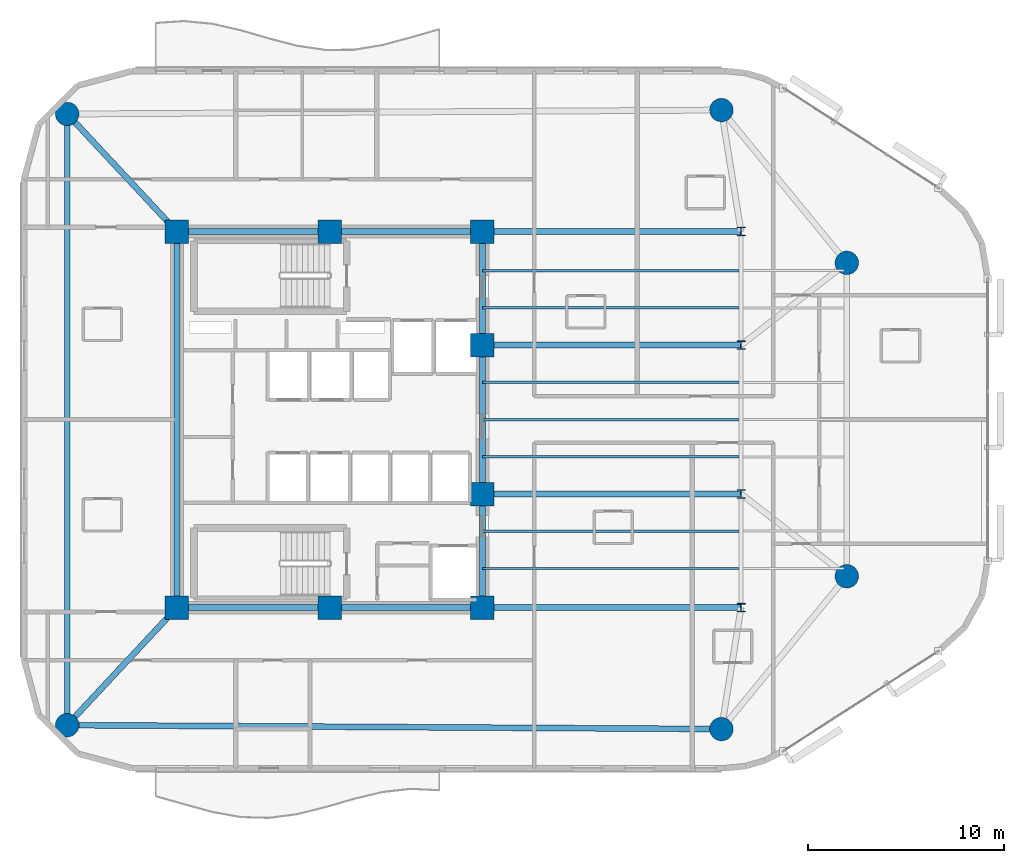
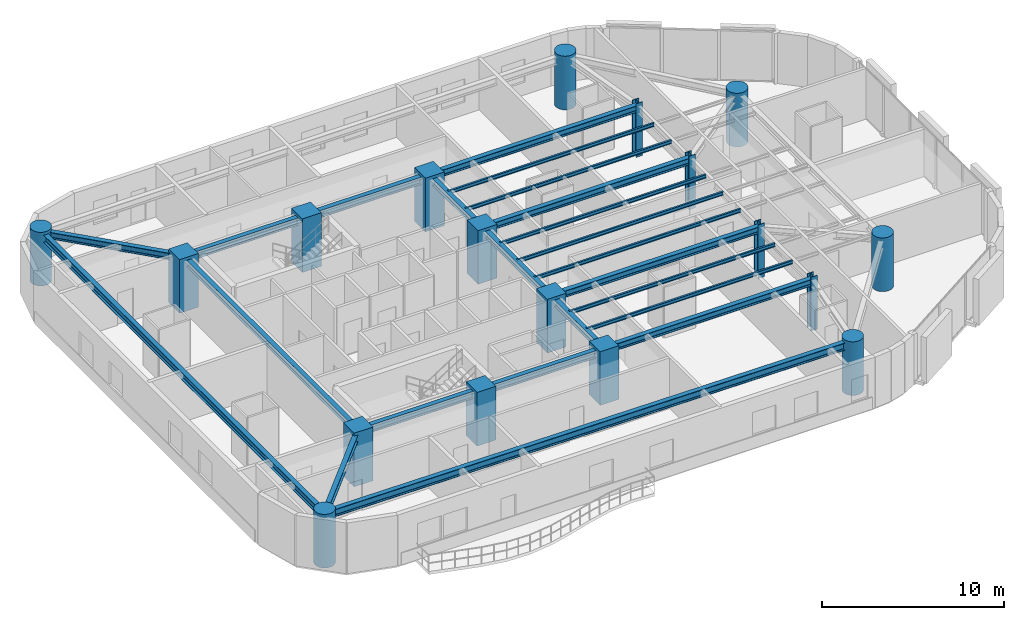
# One storey, part 1 of 15: 21 beams, 18 columns.
"""IFC4 building model written with IfcOpenShell, lengths in metres."""

from ifc_helpers import new_model, si_unit, direction, frame, origin, origin_2d, place, context, subcontext, project, spatial, rectangle, circle, i_section, extrude, material, material_profile, profile_set, type_object, element, save


model = new_model("IFC4")

# Units and contexts
model_context = context("Model", 3, precision=1e-05, world=origin(), true_north=direction((0.0, 1.0)))
body_context = subcontext(model_context, "Body", "Model", "MODEL_VIEW")
ifc_project = project(units=[si_unit("LENGTHUNIT", "METRE"), si_unit("AREAUNIT", "SQUARE_METRE"), si_unit("VOLUMEUNIT", "CUBIC_METRE"), si_unit("PLANEANGLEUNIT", "RADIAN"), si_unit("MASSUNIT", "GRAM", prefix="KILO")], contexts=[model_context])

# Site, building, storey
site_placement = place(None, origin())
site = spatial("IfcSite", under=ifc_project, at=site_placement, CompositionType="ELEMENT")
building_placement = place(site_placement, origin())
building = spatial("IfcBuilding", under=site, at=building_placement, Name="An Khanh Terracotta Commons", CompositionType="ELEMENT")
storey_placement = place(building_placement, frame((0.0, 0.0, 147.39990234375)))
storey = spatial("IfcBuildingStorey", under=building, at=storey_placement, Name="L38", CompositionType="ELEMENT", Elevation=147.39990234375)

# Columns
ifc_material_1 = material(Name="Concrete C60/75", Category="concrete")
ifc_material_profile_1 = material_profile(ifc_material_1, circle(Radius=0.60009765625, at=origin_2d()), Name="CFST1200")
ifc_profile_set_1 = profile_set([ifc_material_profile_1], Name="Concrete C60/75")
column_type_1 = type_object("IfcColumnType", Name="COL-CFST1200", PredefinedType="COLUMN", material=ifc_profile_set_1)
for number, where, z_axis, x_axis, name in (
    (1, (16.0, 8.39990234375, 0.0), (0.0, 0.0, 1.0), (1.0, 0.0, 0.0), "L38 Perimeter CFST Mega-Column MC-01"),
    (2, (49.39990234375, 8.199951171875, 0.0), (0.0, 0.0, 1.0), (1.0, 0.0, 0.0), "L38 Perimeter CFST Mega-Column MC-02"),
    (3, (55.800048828125, 16.0, 0.0), (0.0, 0.0, 1.0), (1.0, 0.0, 0.0), "L38 Perimeter CFST Mega-Column MC-03"),
    (4, (55.800048828125, 32.0, 0.0), (0.0, 0.0, 1.0), (1.0, 0.0, 0.0), "L38 Perimeter CFST Mega-Column MC-04"),
    (5, (49.39990234375, 39.800048828125, 0.0), (0.0, 0.0, 1.0), (1.0, 0.0, 0.0), "L38 Perimeter CFST Mega-Column MC-05"),
    (6, (16.0, 39.60009765625, 0.0), (0.0, 0.0, 1.0), (1.0, 0.0, 0.0), "L38 Perimeter CFST Mega-Column MC-06"),
):
    element("IfcColumn", number, at=place(storey_placement, frame(where, z_axis=z_axis, x_axis=x_axis)), inside=storey, type_object=column_type_1, Name=name, PredefinedType="COLUMN", context=body_context, shape_type="SweptSolid", body=[
        extrude(circle(Radius=0.60009765625, at=origin_2d()), origin(), (0.0, 0.0, 1.0), 3.60009765625),
    ])
ifc_material_2 = material(Name="Steel S460ML", Category="steel")
ifc_material_profile_2 = material_profile(ifc_material_2, i_section(OverallWidth=0.406005859375, OverallDepth=0.43994140625, WebThickness=0.02392578125, FlangeThickness=0.0390625, FilletRadius=0.014892578125, at=origin_2d()), Name="HD400x314")
ifc_profile_set_2 = profile_set([ifc_material_profile_2], Name="Steel S460ML")
column_type_2 = type_object("IfcColumnType", Name="COL-HD400x314", PredefinedType="COLUMN", material=ifc_profile_set_2)
for number, where, z_axis, x_axis, name in (
    (7, (50.39990234375, 14.39990234375, 0.0), (0.0, 0.0, 1.0), (1.0, 0.0, 0.0), "L38 Interior Frame Column TC-01"),
    (8, (50.39990234375, 20.199951171875, 0.0), (0.0, 0.0, 1.0), (1.0, 0.0, 0.0), "L38 Interior Frame Column TC-02"),
    (9, (50.39990234375, 27.800048828125, 0.0), (0.0, 0.0, 1.0), (1.0, 0.0, 0.0), "L38 Interior Frame Column TC-03"),
    (10, (50.39990234375, 33.60009765625, 0.0), (0.0, 0.0, 1.0), (1.0, 0.0, 0.0), "L38 Interior Frame Column TC-04"),
):
    element("IfcColumn", number, at=place(storey_placement, frame(where, z_axis=z_axis, x_axis=x_axis)), inside=storey, type_object=column_type_2, Name=name, PredefinedType="COLUMN", context=body_context, shape_type="SweptSolid", body=[
        extrude(i_section(OverallWidth=0.406005859375, OverallDepth=0.43994140625, WebThickness=0.02392578125, FlangeThickness=0.0390625, FilletRadius=0.014892578125, at=origin_2d()), origin(), (0.0, 0.0, 1.0), 3.60009765625),
    ])
ifc_material_profile_3 = material_profile(ifc_material_1, rectangle(XDim=1.199951171875, YDim=1.199951171875, at=origin_2d()), Name="RC1200x1200")
ifc_profile_set_3 = profile_set([ifc_material_profile_3], Name="Concrete C60/75")
column_type_3 = type_object("IfcColumnType", Name="COL-RC1200x1200", PredefinedType="COLUMN", material=ifc_profile_set_3)
for number, where, z_axis, x_axis, name in (
    (11, (21.60009765625, 14.39990234375, 0.0), (0.0, 0.0, 1.0), (1.0, 0.0, 0.0), "L38 Core Boundary Column CC-01"),
    (12, (29.39990234375, 14.39990234375, 0.0), (0.0, 0.0, 1.0), (1.0, 0.0, 0.0), "L38 Core Boundary Column CC-02"),
    (13, (37.199951171875, 14.39990234375, 0.0), (0.0, 0.0, 1.0), (1.0, 0.0, 0.0), "L38 Core Boundary Column CC-03"),
    (14, (37.199951171875, 20.199951171875, 0.0), (0.0, 0.0, 1.0), (1.0, 0.0, 0.0), "L38 Core Boundary Column CC-04"),
    (15, (37.199951171875, 27.800048828125, 0.0), (0.0, 0.0, 1.0), (1.0, 0.0, 0.0), "L38 Core Boundary Column CC-05"),
    (16, (37.199951171875, 33.60009765625, 0.0), (0.0, 0.0, 1.0), (1.0, 0.0, 0.0), "L38 Core Boundary Column CC-06"),
    (17, (29.39990234375, 33.60009765625, 0.0), (0.0, 0.0, 1.0), (1.0, 0.0, 0.0), "L38 Core Boundary Column CC-07"),
    (18, (21.60009765625, 33.60009765625, 0.0), (0.0, 0.0, 1.0), (1.0, 0.0, 0.0), "L38 Core Boundary Column CC-08"),
):
    element("IfcColumn", number, at=place(storey_placement, frame(where, z_axis=z_axis, x_axis=x_axis)), inside=storey, type_object=column_type_3, Name=name, PredefinedType="COLUMN", context=body_context, shape_type="SweptSolid", body=[
        extrude(rectangle(XDim=1.199951171875, YDim=1.199951171875, at=origin_2d()), origin(), (0.0, 0.0, 1.0), 3.60009765625),
    ])

# Beams
ifc_material_3 = material(Name="Steel S355J2", Category="steel")
ifc_material_profile_4 = material_profile(ifc_material_3, i_section(OverallWidth=0.300048828125, OverallDepth=0.449951171875, WebThickness=0.013916015625, FlangeThickness=0.02587890625, FilletRadius=0.027099609375, at=origin_2d()), Name="HEB450")
ifc_profile_set_4 = profile_set([ifc_material_profile_4], Name="Steel S355J2")
beam_type_1 = type_object("IfcBeamType", Name="BM-HEB450", PredefinedType="BEAM", material=ifc_profile_set_4)
beam_1_placement = place(storey_placement, frame((37.199951171875, 14.39990234375, 3.175048828125), z_axis=(0.0, 1.0, 0.0), x_axis=(-1.0, 0.0, 0.0)))
element("IfcBeam", 19, at=beam_1_placement, inside=storey, type_object=beam_type_1, Name="L38 Core East Coupling Girder 1", PredefinedType="BEAM", context=body_context, shape_type="SweptSolid", body=[
    extrude(i_section(OverallWidth=0.300048828125, OverallDepth=0.449951171875, WebThickness=0.013916015625, FlangeThickness=0.02587890625, FilletRadius=0.027099609375, at=origin_2d()), origin(), (0.0, 0.0, 1.0), 5.800048828125),
])
beam_2_placement = place(storey_placement, frame((37.199951171875, 20.199951171875, 3.175048828125), z_axis=(0.0, 1.0, 0.0), x_axis=(-1.0, 0.0, 0.0)))
element("IfcBeam", 20, at=beam_2_placement, inside=storey, type_object=beam_type_1, Name="L38 Core East Coupling Girder 2", PredefinedType="BEAM", context=body_context, shape_type="SweptSolid", body=[
    extrude(i_section(OverallWidth=0.300048828125, OverallDepth=0.449951171875, WebThickness=0.013916015625, FlangeThickness=0.02587890625, FilletRadius=0.027099609375, at=origin_2d()), origin(), (0.0, 0.0, 1.0), 7.60009765625),
])
beam_3_placement = place(storey_placement, frame((37.199951171875, 27.800048828125, 3.175048828125), z_axis=(0.0, 1.0, 0.0), x_axis=(-1.0, 0.0, 0.0)))
element("IfcBeam", 21, at=beam_3_placement, inside=storey, type_object=beam_type_1, Name="L38 Core East Coupling Girder 3", PredefinedType="BEAM", context=body_context, shape_type="SweptSolid", body=[
    extrude(i_section(OverallWidth=0.300048828125, OverallDepth=0.449951171875, WebThickness=0.013916015625, FlangeThickness=0.02587890625, FilletRadius=0.027099609375, at=origin_2d()), origin(), (0.0, 0.0, 1.0), 5.800048828125),
])
beam_4_placement = place(storey_placement, frame((21.60009765625, 14.39990234375, 3.175048828125), z_axis=(0.0, 1.0, 0.0), x_axis=(-1.0, 0.0, 0.0)))
element("IfcBeam", 22, at=beam_4_placement, inside=storey, type_object=beam_type_1, Name="L38 Core West Coupling Girder", PredefinedType="BEAM", context=body_context, shape_type="SweptSolid", body=[
    extrude(i_section(OverallWidth=0.300048828125, OverallDepth=0.449951171875, WebThickness=0.013916015625, FlangeThickness=0.02587890625, FilletRadius=0.027099609375, at=origin_2d()), origin(), (0.0, 0.0, 1.0), 19.2001953125),
])
for number, where, z_axis, x_axis, name in (
    (23, (37.199951171875, 14.39990234375, 3.175048828125), (1.0, 0.0, 0.0), (0.0, 1.0, 0.0), "L38 East Primary Floor Girder 1"),
    (24, (37.199951171875, 20.199951171875, 3.175048828125), (1.0, 0.0, 0.0), (0.0, 1.0, 0.0), "L38 East Primary Floor Girder 2"),
    (25, (37.199951171875, 27.800048828125, 3.175048828125), (1.0, 0.0, 0.0), (0.0, 1.0, 0.0), "L38 East Primary Floor Girder 3"),
    (26, (37.199951171875, 33.60009765625, 3.175048828125), (1.0, 0.0, 0.0), (0.0, 1.0, 0.0), "L38 East Primary Floor Girder 4"),
):
    element("IfcBeam", number, at=place(storey_placement, frame(where, z_axis=z_axis, x_axis=x_axis)), inside=storey, type_object=beam_type_1, Name=name, PredefinedType="BEAM", context=body_context, shape_type="SweptSolid", body=[
        extrude(i_section(OverallWidth=0.300048828125, OverallDepth=0.449951171875, WebThickness=0.013916015625, FlangeThickness=0.02587890625, FilletRadius=0.027099609375, at=origin_2d()), origin(), (0.0, 0.0, 1.0), 13.199951171875),
    ])
for number, where, z_axis, x_axis, name in (
    (27, (16.0, 8.39990234375, 3.175048828125), (0.682324609438, 0.731049333052, 0.0), (-0.731049333052, 0.682324609438, 0.0), "L38 Mega-Column Tie Girder 1"),
    (28, (16.0, 39.60009765625, 3.175048828125), (0.682324609438, -0.731049333052, 0.0), (0.731049333052, 0.682324609438, 0.0), "L38 Mega-Column Tie Girder 6"),
):
    element("IfcBeam", number, at=place(storey_placement, frame(where, z_axis=z_axis, x_axis=x_axis)), inside=storey, type_object=beam_type_1, Name=name, PredefinedType="BEAM", context=body_context, shape_type="SweptSolid", body=[
        extrude(i_section(OverallWidth=0.300048828125, OverallDepth=0.449951171875, WebThickness=0.013916015625, FlangeThickness=0.02587890625, FilletRadius=0.027099609375, at=origin_2d()), origin(), (0.0, 0.0, 1.0), 8.207275390625),
    ])
ifc_material_profile_5 = material_profile(ifc_material_3, i_section(OverallWidth=0.300048828125, OverallDepth=0.5, WebThickness=0.014404296875, FlangeThickness=0.028076171875, FilletRadius=0.027099609375, at=origin_2d()), Name="HEB500")
ifc_profile_set_5 = profile_set([ifc_material_profile_5], Name="Steel S355J2")
beam_type_2 = type_object("IfcBeamType", Name="BM-HEB500", PredefinedType="BEAM", material=ifc_profile_set_5)
for number, where, z_axis, x_axis, name in (
    (29, (21.60009765625, 14.39990234375, 3.150146484375), (1.0, 0.0, 0.0), (0.0, 1.0, 0.0), "L38 Core South Coupling Girder"),
    (30, (21.60009765625, 33.60009765625, 3.150146484375), (1.0, 0.0, 0.0), (0.0, 1.0, 0.0), "L38 Core North Coupling Girder"),
):
    element("IfcBeam", number, at=place(storey_placement, frame(where, z_axis=z_axis, x_axis=x_axis)), inside=storey, type_object=beam_type_2, Name=name, PredefinedType="BEAM", context=body_context, shape_type="SweptSolid", body=[
        extrude(i_section(OverallWidth=0.300048828125, OverallDepth=0.5, WebThickness=0.014404296875, FlangeThickness=0.028076171875, FilletRadius=0.027099609375, at=origin_2d()), origin(), (0.0, 0.0, 1.0), 15.599853515625),
    ])
beam_5_placement = place(storey_placement, frame((16.0, 8.39990234375, 3.150146484375), z_axis=(0.999982080914, -0.005986472262, 0.0), x_axis=(0.005986472262, 0.999982080914, 0.0)))
element("IfcBeam", 31, at=beam_5_placement, inside=storey, type_object=beam_type_2, Name="L38 Perimeter Ring Spandrel 1", PredefinedType="BEAM", context=body_context, shape_type="SweptSolid", body=[
    extrude(i_section(OverallWidth=0.300048828125, OverallDepth=0.5, WebThickness=0.014404296875, FlangeThickness=0.028076171875, FilletRadius=0.027099609375, at=origin_2d()), origin(), (0.0, 0.0, 1.0), 33.400390625),
])
beam_6_placement = place(storey_placement, frame((16.0, 39.60009765625, 3.150146484375), z_axis=(0.0, -1.0, 0.0), x_axis=(1.0, 0.0, 0.0)))
element("IfcBeam", 32, at=beam_6_placement, inside=storey, type_object=beam_type_2, Name="L38 Perimeter Ring Spandrel 6", PredefinedType="BEAM", context=body_context, shape_type="SweptSolid", body=[
    extrude(i_section(OverallWidth=0.300048828125, OverallDepth=0.5, WebThickness=0.014404296875, FlangeThickness=0.028076171875, FilletRadius=0.027099609375, at=origin_2d()), origin(), (0.0, 0.0, 1.0), 31.2001953125),
])
ifc_material_profile_6 = material_profile(ifc_material_3, i_section(OverallWidth=0.1201171875, OverallDepth=0.239990234375, WebThickness=0.006103515625, FlangeThickness=0.009765625, FilletRadius=0.014892578125, at=origin_2d()), Name="IPE240")
ifc_profile_set_6 = profile_set([ifc_material_profile_6], Name="Steel S355J2")
beam_type_3 = type_object("IfcBeamType", Name="BM-IPE240", PredefinedType="JOIST", material=ifc_profile_set_6)
for number, where, z_axis, x_axis, name in (
    (33, (37.199951171875, 16.39990234375, 3.280029296875), (1.0, 0.0, 0.0), (0.0, 1.0, 0.0), "L38 Inboard Composite Joist 1"),
    (34, (37.199951171875, 18.300048828125, 3.280029296875), (1.0, 0.0, 0.0), (0.0, 1.0, 0.0), "L38 Inboard Composite Joist 2"),
    (35, (37.199951171875, 22.10009765625, 3.280029296875), (1.0, 0.0, 0.0), (0.0, 1.0, 0.0), "L38 Inboard Composite Joist 3"),
    (36, (37.199951171875, 24.0, 3.280029296875), (1.0, 0.0, 0.0), (0.0, 1.0, 0.0), "L38 Inboard Composite Joist 4"),
    (37, (37.199951171875, 25.89990234375, 3.280029296875), (1.0, 0.0, 0.0), (0.0, 1.0, 0.0), "L38 Inboard Composite Joist 5"),
    (38, (37.199951171875, 29.699951171875, 3.280029296875), (1.0, 0.0, 0.0), (0.0, 1.0, 0.0), "L38 Inboard Composite Joist 6"),
    (39, (37.199951171875, 31.60009765625, 3.280029296875), (1.0, 0.0, 0.0), (0.0, 1.0, 0.0), "L38 Inboard Composite Joist 7"),
):
    element("IfcBeam", number, at=place(storey_placement, frame(where, z_axis=z_axis, x_axis=x_axis)), inside=storey, type_object=beam_type_3, Name=name, PredefinedType="JOIST", context=body_context, shape_type="SweptSolid", body=[
        extrude(i_section(OverallWidth=0.1201171875, OverallDepth=0.239990234375, WebThickness=0.006103515625, FlangeThickness=0.009765625, FilletRadius=0.014892578125, at=origin_2d()), origin(), (0.0, 0.0, 1.0), 13.10009765625),
    ])

save(model, "model.ifc")
